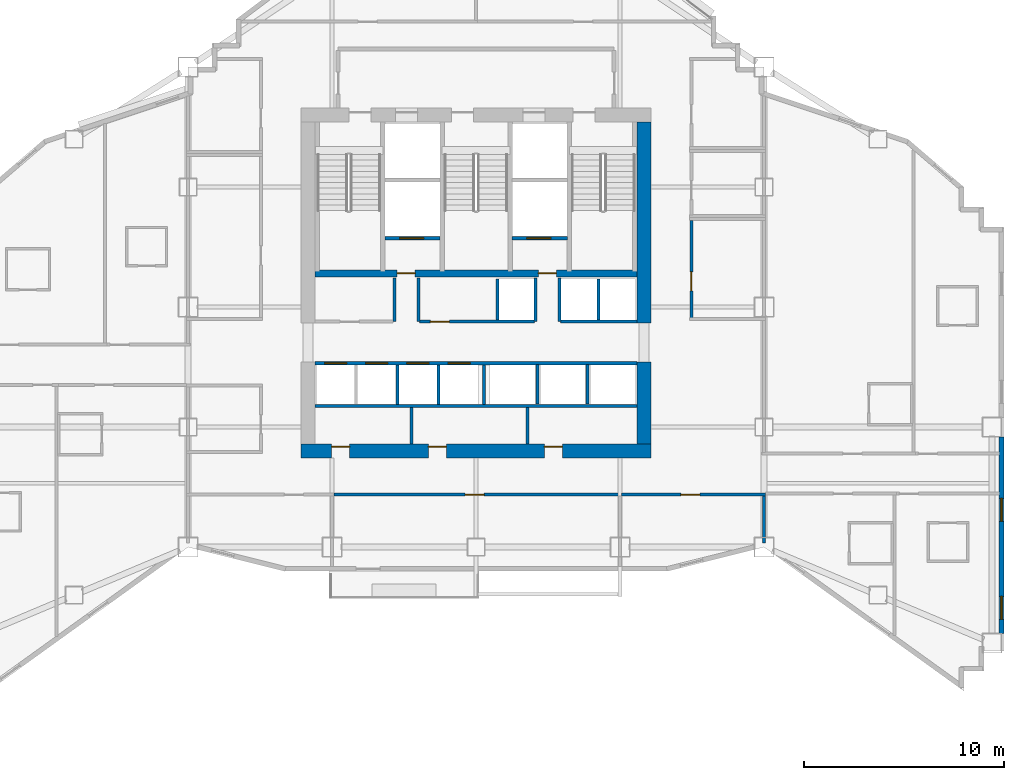
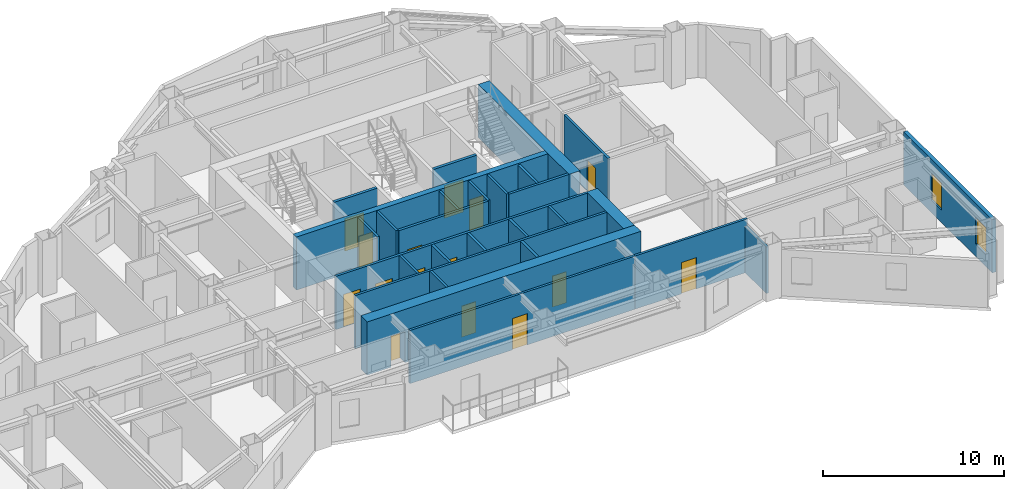
# One storey, part 7 of 14: 28 walls, 15 doors, 2 windows, 17 openings.
"""IFC4 building model written with IfcOpenShell, lengths in metres."""

from ifc_helpers import new_model, si_unit, direction, frame, frame_2d, origin, place, context, subcontext, project, spatial, rectangle, extrude, material, layer, layer_set, type_object, element, fill, save


model = new_model("IFC4")

# Units and contexts
model_context = context("Model", 3, precision=1e-05, world=origin(), true_north=direction((0.0, 1.0)))
body_context = subcontext(model_context, "Body", "Model", "MODEL_VIEW")
ifc_project = project(units=[si_unit("LENGTHUNIT", "METRE"), si_unit("AREAUNIT", "SQUARE_METRE"), si_unit("VOLUMEUNIT", "CUBIC_METRE"), si_unit("PLANEANGLEUNIT", "RADIAN"), si_unit("MASSUNIT", "GRAM", prefix="KILO")], contexts=[model_context])

# Site, building, storey
site_placement = place(None, origin())
site = spatial("IfcSite", under=ifc_project, at=site_placement, CompositionType="ELEMENT")
building_placement = place(site_placement, origin())
building = spatial("IfcBuilding", under=site, at=building_placement, Name="Haolan Belvedere Tower", CompositionType="ELEMENT")
storey_placement = place(building_placement, frame((0.0, 0.0, 113.60009765625)))
storey = spatial("IfcBuildingStorey", under=building, at=storey_placement, Name="L28", CompositionType="ELEMENT", Elevation=113.60009765625)

# Wall, openings, doors
ifc_material_1 = material(Name="Concrete C60/75", Category="concrete")
ifc_layer_1 = layer(ifc_material_1, 0.699951171875, Name="Concrete C60/75")
ifc_layer_set_1 = layer_set([ifc_layer_1], Name="Concrete C60/75")
wall_type_1 = type_object("IfcWallType", Name="WL-CORE-700", PredefinedType="SHEAR", material=ifc_layer_set_1)
wall_1_placement = place(storey_placement, frame((29.64990234375, 26.39990234375, 0.0), z_axis=(0.0, 0.0, 1.0), x_axis=(1.0, 0.0, 0.0)))
wall_1 = element("IfcWall", 1, at=wall_1_placement, inside=storey, type_object=wall_type_1, Name="L28 central core south shear wall", PredefinedType="SHEAR", context=body_context, shape_type="SweptSolid", body=[
    extrude(rectangle(XDim=17.5, YDim=0.699951171875, at=frame_2d((8.75, 0.0))), origin(), (0.0, 0.0, 1.0), 3.599853515625),
])
opening_1_placement = place(wall_1_placement, frame((2.419921875, 0.0, 0.0), z_axis=(0.0, 0.0, 1.0), x_axis=(-1.0, 0.0, 0.0)))
opening_1 = element("IfcOpeningElement", 2, at=opening_1_placement, cuts=wall_1, Name="Opening FD-05", PredefinedType="OPENING", context=body_context, shape_type="SweptSolid", body=[
    extrude(rectangle(XDim=0.89990234375, YDim=2.10009765625, at=frame_2d((0.449951171875, 1.050048828125))), frame((0.0, 0.35986328125, 0.0), z_axis=(0.0, -1.0, 0.0), x_axis=(1.0, 0.0, 0.0)), (0.0, 0.0, 1.0), 0.719970703125),
])
opening_2_placement = place(wall_1_placement, frame((7.260009765625, 0.0, 0.0), z_axis=(0.0, 0.0, 1.0), x_axis=(-1.0, 0.0, 0.0)))
opening_2 = element("IfcOpeningElement", 3, at=opening_2_placement, cuts=wall_1, Name="Opening FD-05", PredefinedType="OPENING", context=body_context, shape_type="SweptSolid", body=[
    extrude(rectangle(XDim=0.89990234375, YDim=2.10009765625, at=frame_2d((0.449951171875, 1.050048828125))), frame((0.0, 0.35986328125, 0.0), z_axis=(0.0, -1.0, 0.0), x_axis=(1.0, 0.0, 0.0)), (0.0, 0.0, 1.0), 0.719970703125),
])
opening_3_placement = place(wall_1_placement, frame((13.059814453125, 0.0, 0.0), z_axis=(0.0, 0.0, 1.0), x_axis=(-1.0, 0.0, 0.0)))
opening_3 = element("IfcOpeningElement", 4, at=opening_3_placement, cuts=wall_1, Name="Opening FD-05", PredefinedType="OPENING", context=body_context, shape_type="SweptSolid", body=[
    extrude(rectangle(XDim=0.89990234375, YDim=2.10009765625, at=frame_2d((0.449951171875, 1.050048828125))), frame((0.0, 0.35986328125, 0.0), z_axis=(0.0, -1.0, 0.0), x_axis=(1.0, 0.0, 0.0)), (0.0, 0.0, 1.0), 0.719970703125),
])
ifc_material_2 = material(Name="Galvanised fire-rated steel", Category="steel")
door_type_1 = type_object("IfcDoorType", Name="DR-FD60-900", OperationType="NOTDEFINED", PredefinedType="DOOR", material=ifc_material_2)
door_1_placement = place(opening_1_placement, origin())
door_1 = element("IfcDoor", 5, at=door_1_placement, inside=storey, type_object=door_type_1, Name="L28 door CD-L28-SCV-1", OperationType="SINGLE_SWING_LEFT", OverallHeight=2.10009765625, OverallWidth=0.89990234375, PredefinedType="DOOR", context=body_context, shape_type="SweptSolid", body=[
    extrude(rectangle(XDim=0.89990234375, YDim=2.10009765625, at=frame_2d((0.449951171875, 1.050048828125))), frame((0.0, -0.19482421875, 0.0), z_axis=(0.0, -1.0, 0.0), x_axis=(1.0, 0.0, 0.0)), (0.0, 0.0, 1.0), 0.050048828125),
])
fill(opening_1, door_1)
door_2_placement = place(opening_2_placement, origin())
door_2 = element("IfcDoor", 6, at=door_2_placement, inside=storey, type_object=door_type_1, Name="L28 door CD-L28-SCV-2", OperationType="SINGLE_SWING_RIGHT", OverallHeight=2.10009765625, OverallWidth=0.89990234375, PredefinedType="DOOR", context=body_context, shape_type="SweptSolid", body=[
    extrude(rectangle(XDim=0.89990234375, YDim=2.10009765625, at=frame_2d((0.449951171875, 1.050048828125))), frame((0.0, -0.19482421875, 0.0), z_axis=(0.0, -1.0, 0.0), x_axis=(1.0, 0.0, 0.0)), (0.0, 0.0, 1.0), 0.050048828125),
])
fill(opening_2, door_2)
door_3_placement = place(opening_3_placement, origin())
door_3 = element("IfcDoor", 7, at=door_3_placement, inside=storey, type_object=door_type_1, Name="L28 door CD-L28-SCV-3", OperationType="SINGLE_SWING_LEFT", OverallHeight=2.10009765625, OverallWidth=0.89990234375, PredefinedType="DOOR", context=body_context, shape_type="SweptSolid", body=[
    extrude(rectangle(XDim=0.89990234375, YDim=2.10009765625, at=frame_2d((0.449951171875, 1.050048828125))), frame((0.0, -0.19482421875, 0.0), z_axis=(0.0, -1.0, 0.0), x_axis=(1.0, 0.0, 0.0)), (0.0, 0.0, 1.0), 0.050048828125),
])
fill(opening_3, door_3)

# Walls
wall_2_placement = place(storey_placement, frame((46.800048828125, 26.75, 0.0), z_axis=(0.0, 0.0, 1.0), x_axis=(0.0, 1.0, 0.0)))
element("IfcWall", 8, at=wall_2_placement, inside=storey, type_object=wall_type_1, Name="L28 central core shear wall ES", PredefinedType="SHEAR", context=body_context, shape_type="SweptSolid", body=[
    extrude(rectangle(XDim=4.10009765625, YDim=0.699951171875, at=frame_2d((2.050048828125, 0.0))), origin(), (0.0, 0.0, 1.0), 3.599853515625),
])
wall_3_placement = place(storey_placement, frame((46.800048828125, 32.800048828125, 0.0), z_axis=(0.0, 0.0, 1.0), x_axis=(0.0, 1.0, 0.0)))
element("IfcWall", 9, at=wall_3_placement, inside=storey, type_object=wall_type_1, Name="L28 central core shear wall EN", PredefinedType="SHEAR", context=body_context, shape_type="SweptSolid", body=[
    extrude(rectangle(XDim=10.050048828125, YDim=0.699951171875, at=frame_2d((5.02490234375, 0.0))), origin(), (0.0, 0.0, 1.0), 3.599853515625),
])

# Wall, openings, windows
ifc_material_3 = material(Name="Precast concrete C40/50", Category="concrete")
ifc_layer_2 = layer(ifc_material_3, 0.239990234375, Name="Precast concrete C40/50")
ifc_layer_set_2 = layer_set([ifc_layer_2], Name="Precast concrete C40/50")
wall_type_2 = type_object("IfcWallType", Name="WL-EXT-240", PredefinedType="SOLIDWALL", material=ifc_layer_set_2)
wall_4_placement = place(storey_placement, frame((64.679931640625, 17.2919921875, 0.0), z_axis=(0.0, 0.0, 1.0), x_axis=(0.0, 1.0, 0.0)))
wall_4 = element("IfcWall", 10, at=wall_4_placement, inside=storey, type_object=wall_type_2, Name="L28 pale-metal exterior spandrel wall 14.1", PredefinedType="SOLIDWALL", context=body_context, shape_type="SweptSolid", body=[
    extrude(rectangle(XDim=9.81591796875, YDim=0.239990234375, at=frame_2d((4.907958984375, 0.0))), origin(), (0.0, 0.0, 1.0), 3.599853515625),
])
opening_4_placement = place(wall_4_placement, frame((0.699951171875, 0.0, 0.85009765625)))
opening_4 = element("IfcOpeningElement", 11, at=opening_4_placement, cuts=wall_4, Name="Opening W-02", PredefinedType="OPENING", context=body_context, shape_type="SweptSolid", body=[
    extrude(rectangle(XDim=1.14990234375, YDim=1.800048828125, at=frame_2d((0.574951171875, 0.89990234375))), frame((0.0, 0.1298828125, 0.0), z_axis=(0.0, -1.0, 0.0), x_axis=(1.0, 0.0, 0.0)), (0.0, 0.0, 1.0), 0.260009765625),
])
opening_5_placement = place(wall_4_placement, frame((5.593017578125, 0.0, 0.85009765625)))
opening_5 = element("IfcOpeningElement", 12, at=opening_5_placement, cuts=wall_4, Name="Opening W-02", PredefinedType="OPENING", context=body_context, shape_type="SweptSolid", body=[
    extrude(rectangle(XDim=1.14990234375, YDim=1.800048828125, at=frame_2d((0.574951171875, 0.89990234375))), frame((0.0, 0.1298828125, 0.0), z_axis=(0.0, -1.0, 0.0), x_axis=(1.0, 0.0, 0.0)), (0.0, 0.0, 1.0), 0.260009765625),
])
ifc_material_4 = material(Name="Anodised aluminium 6063-T6 and Low-E glass", Category="aluminium")
window_type = type_object("IfcWindowType", Name="WN-DECO-Z2", PartitioningType="SINGLE_PANEL", PredefinedType="WINDOW", material=ifc_material_4)
window_1_placement = place(opening_4_placement, origin())
window_1 = element("IfcWindow", 13, at=window_1_placement, inside=storey, type_object=window_type, Name="L28 Art Deco chevron window 1", OverallHeight=1.800048828125, OverallWidth=1.14990234375, PartitioningType="SINGLE_PANEL", PredefinedType="WINDOW", context=body_context, shape_type="SweptSolid", body=[
    extrude(rectangle(XDim=1.14990234375, YDim=1.800048828125, at=frame_2d((0.574951171875, 0.89990234375))), frame((0.0, 0.030029296875, 0.0), z_axis=(0.0, -1.0, 0.0), x_axis=(1.0, 0.0, 0.0)), (0.0, 0.0, 1.0), 0.06005859375),
])
fill(opening_4, window_1)
window_2_placement = place(opening_5_placement, origin())
window_2 = element("IfcWindow", 14, at=window_2_placement, inside=storey, type_object=window_type, Name="L28 Art Deco chevron window 2", OverallHeight=1.800048828125, OverallWidth=1.14990234375, PartitioningType="SINGLE_PANEL", PredefinedType="WINDOW", context=body_context, shape_type="SweptSolid", body=[
    extrude(rectangle(XDim=1.14990234375, YDim=1.800048828125, at=frame_2d((0.574951171875, 0.89990234375))), frame((0.0, 0.030029296875, 0.0), z_axis=(0.0, -1.0, 0.0), x_axis=(1.0, 0.0, 0.0)), (0.0, 0.0, 1.0), 0.06005859375),
])
fill(opening_5, window_2)

# Walls
ifc_material_5 = material(Name="Double gypsum acoustic stud partition", Category="masonry")
ifc_layer_3 = layer(ifc_material_5, 0.14990234375, Name="Double gypsum acoustic stud partition")
ifc_layer_set_3 = layer_set([ifc_layer_3], Name="Double gypsum acoustic stud partition")
wall_type_3 = type_object("IfcWallType", Name="WL-PART-150", PredefinedType="PARTITIONING", material=ifc_layer_set_3)
wall_5_placement = place(storey_placement, frame((30.35009765625, 28.659912109375, 0.0), z_axis=(0.0, 0.0, 1.0), x_axis=(1.0, 0.0, 0.0)))
element("IfcWall", 15, at=wall_5_placement, inside=storey, type_object=wall_type_3, Name="L28 interior partition IW-L28-SSTRIP-N", PredefinedType="PARTITIONING", context=body_context, shape_type="SweptSolid", body=[
    extrude(rectangle(XDim=16.099853515625, YDim=0.14990234375, at=frame_2d((8.0498046875, 0.0))), origin(), (0.0, 0.0, 1.0), 3.599853515625),
])
for number, where, z_axis, x_axis, name in (
    (16, (35.179931640625, 26.760009765625, 0.0), (0.0, 0.0, 1.0), (0.0, 1.0, 0.0), "L28 interior partition IW-L28-SCV-DIV-1"),
    (17, (40.97998046875, 26.760009765625, 0.0), (0.0, 0.0, 1.0), (0.0, 1.0, 0.0), "L28 interior partition IW-L28-SCV-DIV-2"),
):
    element("IfcWall", number, at=place(storey_placement, frame(where, z_axis=z_axis, x_axis=x_axis)), inside=storey, type_object=wall_type_3, Name=name, PredefinedType="PARTITIONING", context=body_context, shape_type="SweptSolid", body=[
        extrude(rectangle(XDim=1.820068359375, YDim=0.14990234375, at=frame_2d((0.91015625, 0.0))), origin(), (0.0, 0.0, 1.0), 3.599853515625),
    ])

# Wall, opening, door
wall_6_placement = place(storey_placement, frame((49.159912109375, 33.06005859375, 0.0), z_axis=(0.0, 0.0, 1.0), x_axis=(0.0, 1.0, 0.0)))
wall_6 = element("IfcWall", 18, at=wall_6_placement, inside=storey, type_object=wall_type_3, Name="L28 interior partition IW-L28-BPN-W", PredefinedType="PARTITIONING", context=body_context, shape_type="SweptSolid", body=[
    extrude(rectangle(XDim=4.8798828125, YDim=0.14990234375, at=frame_2d((2.43994140625, 0.0))), origin(), (0.0, 0.0, 1.0), 3.599853515625),
])
opening_6_placement = place(wall_6_placement, frame((1.360107421875, 0.0, 0.0)))
opening_6 = element("IfcOpeningElement", 19, at=opening_6_placement, cuts=wall_6, Name="Opening ID-03", PredefinedType="OPENING", context=body_context, shape_type="SweptSolid", body=[
    extrude(rectangle(XDim=0.949951171875, YDim=2.1201171875, at=frame_2d((0.47509765625, 1.06005859375))), frame((0.0, 0.0849609375, 0.0), z_axis=(0.0, -1.0, 0.0), x_axis=(1.0, 0.0, 0.0)), (0.0, 0.0, 1.0), 0.169921875),
])
ifc_material_6 = material(Name="Painted solid-core timber", Category="wood")
door_type_2 = type_object("IfcDoorType", Name="DR-INT-950", OperationType="NOTDEFINED", PredefinedType="DOOR", material=ifc_material_6)
door_4_placement = place(opening_6_placement, origin())
door_4 = element("IfcDoor", 20, at=door_4_placement, inside=storey, type_object=door_type_2, Name="L28 door ID-L28-BPN", OperationType="SINGLE_SWING_RIGHT", OverallHeight=2.1201171875, OverallWidth=0.949951171875, PredefinedType="DOOR", context=body_context, shape_type="SweptSolid", body=[
    extrude(rectangle(XDim=0.949951171875, YDim=2.1201171875, at=frame_2d((0.47509765625, 1.06005859375))), frame((0.0, 0.02490234375, 0.0), z_axis=(0.0, -1.0, 0.0), x_axis=(1.0, 0.0, 0.0)), (0.0, 0.0, 1.0), 0.050048828125),
])
fill(opening_6, door_4)

wall_7_placement = place(storey_placement, frame((31.281982421875, 24.219970703125, 0.0), z_axis=(0.0, 0.0, 1.0), x_axis=(1.0, 0.0, 0.0)))
wall_7 = element("IfcWall", 21, at=wall_7_placement, inside=storey, type_object=wall_type_3, Name="L28 interior partition IW-L28-KS2-N", PredefinedType="PARTITIONING", context=body_context, shape_type="SweptSolid", body=[
    extrude(rectangle(XDim=14.39794921875, YDim=0.14990234375, at=frame_2d((7.198974609375, 0.0))), origin(), (0.0, 0.0, 1.0), 3.599853515625),
])
opening_7_placement = place(wall_7_placement, frame((7.512939453125, 0.0, 0.0), z_axis=(0.0, 0.0, 1.0), x_axis=(-1.0, 0.0, 0.0)))
opening_7 = element("IfcOpeningElement", 22, at=opening_7_placement, cuts=wall_7, Name="Opening ID-03", PredefinedType="OPENING", context=body_context, shape_type="SweptSolid", body=[
    extrude(rectangle(XDim=0.949951171875, YDim=2.1201171875, at=frame_2d((0.47509765625, 1.06005859375))), frame((0.0, 0.0849609375, 0.0), z_axis=(0.0, -1.0, 0.0), x_axis=(1.0, 0.0, 0.0)), (0.0, 0.0, 1.0), 0.169921875),
])
door_5_placement = place(opening_7_placement, origin())
door_5 = element("IfcDoor", 23, at=door_5_placement, inside=storey, type_object=door_type_2, Name="L28 door ID-L28-KS2", OperationType="SINGLE_SWING_LEFT", OverallHeight=2.1201171875, OverallWidth=0.949951171875, PredefinedType="DOOR", context=body_context, shape_type="SweptSolid", body=[
    extrude(rectangle(XDim=0.949951171875, YDim=2.1201171875, at=frame_2d((0.47509765625, 1.06005859375))), frame((0.0, 0.02490234375, 0.0), z_axis=(0.0, -1.0, 0.0), x_axis=(1.0, 0.0, 0.0)), (0.0, 0.0, 1.0), 0.050048828125),
])
fill(opening_7, door_5)

wall_8_placement = place(storey_placement, frame((45.681884765625, 24.219970703125, 0.0), z_axis=(0.0, 0.0, 1.0), x_axis=(1.0, 0.0, 0.0)))
wall_8 = element("IfcWall", 24, at=wall_8_placement, inside=storey, type_object=wall_type_3, Name="L28 interior partition IW-L28-KS3-N", PredefinedType="PARTITIONING", context=body_context, shape_type="SweptSolid", body=[
    extrude(rectangle(XDim=7.197998046875, YDim=0.14990234375, at=frame_2d((3.59912109375, 0.0))), origin(), (0.0, 0.0, 1.0), 3.599853515625),
])
opening_8_placement = place(wall_8_placement, frame((3.912841796875, 0.0, 0.0), z_axis=(0.0, 0.0, 1.0), x_axis=(-1.0, 0.0, 0.0)))
opening_8 = element("IfcOpeningElement", 25, at=opening_8_placement, cuts=wall_8, Name="Opening ID-03", PredefinedType="OPENING", context=body_context, shape_type="SweptSolid", body=[
    extrude(rectangle(XDim=0.949951171875, YDim=2.1201171875, at=frame_2d((0.47509765625, 1.06005859375))), frame((0.0, 0.0849609375, 0.0), z_axis=(0.0, -1.0, 0.0), x_axis=(1.0, 0.0, 0.0)), (0.0, 0.0, 1.0), 0.169921875),
])
door_6_placement = place(opening_8_placement, origin())
door_6 = element("IfcDoor", 26, at=door_6_placement, inside=storey, type_object=door_type_2, Name="L28 door ID-L28-KS3", OperationType="SINGLE_SWING_RIGHT", OverallHeight=2.1201171875, OverallWidth=0.949951171875, PredefinedType="DOOR", context=body_context, shape_type="SweptSolid", body=[
    extrude(rectangle(XDim=0.949951171875, YDim=2.1201171875, at=frame_2d((0.47509765625, 1.06005859375))), frame((0.0, 0.02490234375, 0.0), z_axis=(0.0, -1.0, 0.0), x_axis=(1.0, 0.0, 0.0)), (0.0, 0.0, 1.0), 0.050048828125),
])
fill(opening_8, door_6)

# Walls
wall_9_placement = place(storey_placement, frame((52.800048828125, 21.818603515625, 0.0), z_axis=(0.0, 0.0, 1.0), x_axis=(0.0, 1.0, 0.0)))
element("IfcWall", 27, at=wall_9_placement, inside=storey, type_object=wall_type_3, Name="L28 interior partition IW-L28-KS3-E", PredefinedType="PARTITIONING", context=body_context, shape_type="SweptSolid", body=[
    extrude(rectangle(XDim=2.34130859375, YDim=0.14990234375, at=frame_2d((1.170654296875, 0.0))), origin(), (0.0, 0.0, 1.0), 3.14501953125),
])
ifc_material_7 = material(Name="Gypsum fire shaftwall assembly", Category="masonry")
ifc_layer_4 = layer(ifc_material_7, 0.1650390625, Name="Gypsum fire shaftwall assembly")
ifc_layer_set_4 = layer_set([ifc_layer_4], Name="Gypsum fire shaftwall assembly")
wall_type_4 = type_object("IfcWallType", Name="WL-SHAFT-160", PredefinedType="SOLIDWALL", material=ifc_layer_set_4)
for number, where, z_axis, x_axis, name in (
    (28, (34.31005859375, 32.8798828125, 0.0), (0.0, 0.0, 1.0), (0.0, 1.0, 0.0), "L28 interior partition IW-L28-SVP-W-SV1"),
    (29, (35.510009765625, 32.8798828125, 0.0), (0.0, 0.0, 1.0), (0.0, 1.0, 0.0), "L28 interior partition IW-L28-SVP-E-SV1"),
    (30, (41.3701171875, 32.8798828125, 0.0), (0.0, 0.0, 1.0), (0.0, 1.0, 0.0), "L28 interior partition IW-L28-SVP-W-SV2"),
    (31, (42.570068359375, 32.8798828125, 0.0), (0.0, 0.0, 1.0), (0.0, 1.0, 0.0), "L28 interior partition IW-L28-SVP-E-SV2"),
):
    element("IfcWall", number, at=place(storey_placement, frame(where, z_axis=z_axis, x_axis=x_axis)), inside=storey, type_object=wall_type_4, Name=name, PredefinedType="SOLIDWALL", context=body_context, shape_type="SweptSolid", body=[
        extrude(rectangle(XDim=2.170166015625, YDim=0.14990234375, at=frame_2d((1.0849609375, 0.0))), origin(), (0.0, 0.0, 1.0), 3.599853515625),
    ])

# Wall, opening, door
wall_10_placement = place(storey_placement, frame((35.570068359375, 32.8798828125, 0.0), z_axis=(0.0, 0.0, 1.0), x_axis=(1.0, 0.0, 0.0)))
wall_10 = element("IfcWall", 32, at=wall_10_placement, inside=storey, type_object=wall_type_4, Name="L28 interior partition IW-L28-ROW-PN2", PredefinedType="SOLIDWALL", context=body_context, shape_type="SweptSolid", body=[
    extrude(rectangle(XDim=5.739990234375, YDim=0.159912109375, at=frame_2d((2.8701171875, 0.0))), origin(), (0.0, 0.0, 1.0), 3.599853515625),
])
opening_9_placement = place(wall_10_placement, frame((1.489990234375, 0.0, 0.0), z_axis=(0.0, 0.0, 1.0), x_axis=(-1.0, 0.0, 0.0)))
opening_9 = element("IfcOpeningElement", 33, at=opening_9_placement, cuts=wall_10, Name="Opening ID-03", PredefinedType="OPENING", context=body_context, shape_type="SweptSolid", body=[
    extrude(rectangle(XDim=0.949951171875, YDim=2.1201171875, at=frame_2d((0.47509765625, 1.06005859375))), frame((0.0, 0.08984375, 0.0), z_axis=(0.0, -1.0, 0.0), x_axis=(1.0, 0.0, 0.0)), (0.0, 0.0, 1.0), 0.179931640625),
])
door_7_placement = place(opening_9_placement, origin())
door_7 = element("IfcDoor", 34, at=door_7_placement, inside=storey, type_object=door_type_2, Name="L28 door ID-L28-CD-RPLE", OperationType="SINGLE_SWING_RIGHT", OverallHeight=2.1201171875, OverallWidth=0.949951171875, PredefinedType="DOOR", context=body_context, shape_type="SweptSolid", body=[
    extrude(rectangle(XDim=0.949951171875, YDim=2.1201171875, at=frame_2d((0.47509765625, 1.06005859375))), frame((0.0, 0.02490234375, 0.0), z_axis=(0.0, -1.0, 0.0), x_axis=(1.0, 0.0, 0.0)), (0.0, 0.0, 1.0), 0.050048828125),
])
fill(opening_9, door_7)

# Walls
wall_11_placement = place(storey_placement, frame((42.6298828125, 32.8798828125, 0.0), z_axis=(0.0, 0.0, 1.0), x_axis=(1.0, 0.0, 0.0)))
element("IfcWall", 35, at=wall_11_placement, inside=storey, type_object=wall_type_4, Name="L28 interior partition IW-L28-ROW-PN3", PredefinedType="SOLIDWALL", context=body_context, shape_type="SweptSolid", body=[
    extrude(rectangle(XDim=3.820068359375, YDim=0.159912109375, at=frame_2d((1.91015625, 0.0))), origin(), (0.0, 0.0, 1.0), 3.599853515625),
])
for number, where, z_axis, x_axis, name in (
    (36, (39.469970703125, 32.949951171875, 0.0), (0.0, 0.0, 1.0), (0.0, 1.0, 0.0), "L28 interior partition IW-L28-DIV-PL4R"),
    (37, (44.530029296875, 32.949951171875, 0.0), (0.0, 0.0, 1.0), (0.0, 1.0, 0.0), "L28 interior partition IW-L28-DIV-PH2"),
):
    element("IfcWall", number, at=place(storey_placement, frame(where, z_axis=z_axis, x_axis=x_axis)), inside=storey, type_object=wall_type_4, Name=name, PredefinedType="SOLIDWALL", context=body_context, shape_type="SweptSolid", body=[
        extrude(rectangle(XDim=2.050048828125, YDim=0.14990234375, at=frame_2d((1.02490234375, 0.0))), origin(), (0.0, 0.0, 1.0), 3.599853515625),
    ])

# Wall, openings, doors
wall_12_placement = place(storey_placement, frame((30.35009765625, 30.800048828125, 0.0), z_axis=(0.0, 0.0, 1.0), x_axis=(1.0, 0.0, 0.0)))
wall_12 = element("IfcWall", 38, at=wall_12_placement, inside=storey, type_object=wall_type_4, Name="L28 interior partition IW-L28-ROW-PS", PredefinedType="SOLIDWALL", context=body_context, shape_type="SweptSolid", body=[
    extrude(rectangle(XDim=16.099853515625, YDim=0.159912109375, at=frame_2d((8.0498046875, 0.0))), origin(), (0.0, 0.0, 1.0), 3.599853515625),
])
opening_10_placement = place(wall_12_placement, frame((0.469970703125, 0.0, 0.0)))
opening_10 = element("IfcOpeningElement", 39, at=opening_10_placement, cuts=wall_12, Name="Opening LD-01", PredefinedType="OPENING", context=body_context, shape_type="SweptSolid", body=[
    extrude(rectangle(XDim=1.10009765625, YDim=2.199951171875, at=frame_2d((0.550048828125, 1.10009765625))), frame((0.0, 0.08984375, 0.0), z_axis=(0.0, -1.0, 0.0), x_axis=(1.0, 0.0, 0.0)), (0.0, 0.0, 1.0), 0.179931640625),
])
opening_11_placement = place(wall_12_placement, frame((2.530029296875, 0.0, 0.0)))
opening_11 = element("IfcOpeningElement", 40, at=opening_11_placement, cuts=wall_12, Name="Opening LD-01", PredefinedType="OPENING", context=body_context, shape_type="SweptSolid", body=[
    extrude(rectangle(XDim=1.10009765625, YDim=2.199951171875, at=frame_2d((0.550048828125, 1.10009765625))), frame((0.0, 0.08984375, 0.0), z_axis=(0.0, -1.0, 0.0), x_axis=(1.0, 0.0, 0.0)), (0.0, 0.0, 1.0), 0.179931640625),
])
opening_12_placement = place(wall_12_placement, frame((4.590087890625, 0.0, 0.0)))
opening_12 = element("IfcOpeningElement", 41, at=opening_12_placement, cuts=wall_12, Name="Opening LD-01", PredefinedType="OPENING", context=body_context, shape_type="SweptSolid", body=[
    extrude(rectangle(XDim=1.10009765625, YDim=2.199951171875, at=frame_2d((0.550048828125, 1.10009765625))), frame((0.0, 0.08984375, 0.0), z_axis=(0.0, -1.0, 0.0), x_axis=(1.0, 0.0, 0.0)), (0.0, 0.0, 1.0), 0.179931640625),
])
opening_13_placement = place(wall_12_placement, frame((6.64990234375, 0.0, 0.0)))
opening_13 = element("IfcOpeningElement", 42, at=opening_13_placement, cuts=wall_12, Name="Opening LD-01", PredefinedType="OPENING", context=body_context, shape_type="SweptSolid", body=[
    extrude(rectangle(XDim=1.10009765625, YDim=2.199951171875, at=frame_2d((0.550048828125, 1.10009765625))), frame((0.0, 0.08984375, 0.0), z_axis=(0.0, -1.0, 0.0), x_axis=(1.0, 0.0, 0.0)), (0.0, 0.0, 1.0), 0.179931640625),
])
ifc_material_8 = material(Name="Brushed champagne stainless steel 316L", Category="steel")
door_type_3 = type_object("IfcDoorType", Name="DR-LIFT-1100", OperationType="SLIDING_TO_LEFT", PredefinedType="DOOR", material=ifc_material_8)
door_8_placement = place(opening_10_placement, origin())
door_8 = element("IfcDoor", 43, at=door_8_placement, inside=storey, type_object=door_type_3, Name="L28 door ID-L28-LD-PM1", OperationType="SLIDING_TO_LEFT", OverallHeight=2.199951171875, OverallWidth=1.10009765625, PredefinedType="DOOR", context=body_context, shape_type="SweptSolid", body=[
    extrude(rectangle(XDim=1.10009765625, YDim=2.199951171875, at=frame_2d((0.550048828125, 1.10009765625))), frame((0.0, 0.02490234375, 0.0), z_axis=(0.0, -1.0, 0.0), x_axis=(1.0, 0.0, 0.0)), (0.0, 0.0, 1.0), 0.050048828125),
])
fill(opening_10, door_8)
door_9_placement = place(opening_11_placement, origin())
door_9 = element("IfcDoor", 44, at=door_9_placement, inside=storey, type_object=door_type_3, Name="L28 door ID-L28-LD-PM2", OperationType="SLIDING_TO_LEFT", OverallHeight=2.199951171875, OverallWidth=1.10009765625, PredefinedType="DOOR", context=body_context, shape_type="SweptSolid", body=[
    extrude(rectangle(XDim=1.10009765625, YDim=2.199951171875, at=frame_2d((0.550048828125, 1.10009765625))), frame((0.0, 0.02490234375, 0.0), z_axis=(0.0, -1.0, 0.0), x_axis=(1.0, 0.0, 0.0)), (0.0, 0.0, 1.0), 0.050048828125),
])
fill(opening_11, door_9)
door_10_placement = place(opening_12_placement, origin())
door_10 = element("IfcDoor", 45, at=door_10_placement, inside=storey, type_object=door_type_3, Name="L28 door ID-L28-LD-PM3", OperationType="SLIDING_TO_LEFT", OverallHeight=2.199951171875, OverallWidth=1.10009765625, PredefinedType="DOOR", context=body_context, shape_type="SweptSolid", body=[
    extrude(rectangle(XDim=1.10009765625, YDim=2.199951171875, at=frame_2d((0.550048828125, 1.10009765625))), frame((0.0, 0.02490234375, 0.0), z_axis=(0.0, -1.0, 0.0), x_axis=(1.0, 0.0, 0.0)), (0.0, 0.0, 1.0), 0.050048828125),
])
fill(opening_12, door_10)
door_11_placement = place(opening_13_placement, origin())
door_11 = element("IfcDoor", 46, at=door_11_placement, inside=storey, type_object=door_type_3, Name="L28 door ID-L28-LD-PM4", OperationType="SLIDING_TO_LEFT", OverallHeight=2.199951171875, OverallWidth=1.10009765625, PredefinedType="DOOR", context=body_context, shape_type="SweptSolid", body=[
    extrude(rectangle(XDim=1.10009765625, YDim=2.199951171875, at=frame_2d((0.550048828125, 1.10009765625))), frame((0.0, 0.02490234375, 0.0), z_axis=(0.0, -1.0, 0.0), x_axis=(1.0, 0.0, 0.0)), (0.0, 0.0, 1.0), 0.050048828125),
])
fill(opening_13, door_11)

# Walls
for number, where, z_axis, x_axis, name in (
    (47, (34.4599609375, 28.735107421875, 0.0), (0.0, 0.0, 1.0), (0.0, 1.0, 0.0), "L28 interior partition IW-L28-DIV-PM2"),
    (48, (36.52001953125, 28.735107421875, 0.0), (0.0, 0.0, 1.0), (0.0, 1.0, 0.0), "L28 interior partition IW-L28-DIV-PM3"),
    (49, (38.800048828125, 28.735107421875, 0.0), (0.0, 0.0, 1.0), (0.0, 1.0, 0.0), "L28 interior partition IW-L28-DIV-PM4"),
):
    element("IfcWall", number, at=place(storey_placement, frame(where, z_axis=z_axis, x_axis=x_axis)), inside=storey, type_object=wall_type_4, Name=name, PredefinedType="SOLIDWALL", context=body_context, shape_type="SweptSolid", body=[
        extrude(rectangle(XDim=1.98486328125, YDim=0.14990234375, at=frame_2d((0.992431640625, 0.0))), origin(), (0.0, 0.0, 1.0), 3.599853515625),
    ])
for number, where, z_axis, x_axis, name in (
    (50, (41.469970703125, 28.75, 0.0), (0.0, 0.0, 1.0), (0.0, 1.0, 0.0), "L28 interior partition IW-L28-DIV-OB1"),
    (51, (43.97998046875, 28.75, 0.0), (0.0, 0.0, 1.0), (0.0, 1.0, 0.0), "L28 interior partition IW-L28-DIV-OB2"),
):
    element("IfcWall", number, at=place(storey_placement, frame(where, z_axis=z_axis, x_axis=x_axis)), inside=storey, type_object=wall_type_4, Name=name, PredefinedType="SOLIDWALL", context=body_context, shape_type="SweptSolid", body=[
        extrude(rectangle(XDim=1.985107421875, YDim=0.14990234375, at=frame_2d((0.99267578125, 0.0))), origin(), (0.0, 0.0, 1.0), 3.599853515625),
    ])

# Wall, opening, door
ifc_layer_5 = layer(ifc_material_3, 0.179931640625, Name="Precast concrete C40/50")
ifc_layer_set_5 = layer_set([ifc_layer_5], Name="Precast concrete C40/50")
wall_type_5 = type_object("IfcWallType", Name="WL-SHAFT-180", PredefinedType="SOLIDWALL", material=ifc_layer_set_5)
wall_13_placement = place(storey_placement, frame((33.8349609375, 37.050048828125, 0.0), z_axis=(0.0, 0.0, 1.0), x_axis=(1.0, 0.0, 0.0)))
wall_13 = element("IfcWall", 52, at=wall_13_placement, inside=storey, type_object=wall_type_5, Name="L28 interior partition IW-L28-SV1-S", PredefinedType="SOLIDWALL", context=body_context, shape_type="SweptSolid", body=[
    extrude(rectangle(XDim=2.77001953125, YDim=0.179931640625, at=frame_2d((1.385009765625, 0.0))), origin(), (0.0, 0.0, 1.0), 3.599853515625),
])
opening_14_placement = place(wall_13_placement, frame((1.945068359375, 0.0, 0.0), z_axis=(0.0, 0.0, 1.0), x_axis=(-1.0, 0.0, 0.0)))
opening_14 = element("IfcOpeningElement", 53, at=opening_14_placement, cuts=wall_13, Name="Opening LD-02", PredefinedType="OPENING", context=body_context, shape_type="SweptSolid", body=[
    extrude(rectangle(XDim=1.199951171875, YDim=2.199951171875, at=frame_2d((0.60009765625, 1.10009765625))), frame((0.0, 0.099853515625, 0.0), z_axis=(0.0, -1.0, 0.0), x_axis=(1.0, 0.0, 0.0)), (0.0, 0.0, 1.0), 0.199951171875),
])
door_type_4 = type_object("IfcDoorType", Name="DR-LIFT-1200", OperationType="SLIDING_TO_RIGHT", PredefinedType="DOOR", material=ifc_material_8)
door_12_placement = place(opening_14_placement, origin())
door_12 = element("IfcDoor", 54, at=door_12_placement, inside=storey, type_object=door_type_4, Name="L28 door ID-L28-LD-SV1", OperationType="SLIDING_TO_RIGHT", OverallHeight=2.199951171875, OverallWidth=1.199951171875, PredefinedType="DOOR", context=body_context, shape_type="SweptSolid", body=[
    extrude(rectangle(XDim=1.199951171875, YDim=2.199951171875, at=frame_2d((0.60009765625, 1.10009765625))), frame((0.0, 0.02490234375, 0.0), z_axis=(0.0, -1.0, 0.0), x_axis=(1.0, 0.0, 0.0)), (0.0, 0.0, 1.0), 0.050048828125),
])
fill(opening_14, door_12)

wall_14_placement = place(storey_placement, frame((40.195068359375, 37.050048828125, 0.0), z_axis=(0.0, 0.0, 1.0), x_axis=(1.0, 0.0, 0.0)))
wall_14 = element("IfcWall", 55, at=wall_14_placement, inside=storey, type_object=wall_type_5, Name="L28 interior partition IW-L28-SV2-S", PredefinedType="SOLIDWALL", context=body_context, shape_type="SweptSolid", body=[
    extrude(rectangle(XDim=2.77001953125, YDim=0.179931640625, at=frame_2d((1.385009765625, 0.0))), origin(), (0.0, 0.0, 1.0), 3.599853515625),
])
opening_15_placement = place(wall_14_placement, frame((1.945068359375, 0.0, 0.0), z_axis=(0.0, 0.0, 1.0), x_axis=(-1.0, 0.0, 0.0)))
opening_15 = element("IfcOpeningElement", 56, at=opening_15_placement, cuts=wall_14, Name="Opening LD-02", PredefinedType="OPENING", context=body_context, shape_type="SweptSolid", body=[
    extrude(rectangle(XDim=1.199951171875, YDim=2.199951171875, at=frame_2d((0.60009765625, 1.10009765625))), frame((0.0, 0.099853515625, 0.0), z_axis=(0.0, -1.0, 0.0), x_axis=(1.0, 0.0, 0.0)), (0.0, 0.0, 1.0), 0.199951171875),
])
door_13_placement = place(opening_15_placement, origin())
door_13 = element("IfcDoor", 57, at=door_13_placement, inside=storey, type_object=door_type_4, Name="L28 door ID-L28-LD-SV2", OperationType="SLIDING_TO_RIGHT", OverallHeight=2.199951171875, OverallWidth=1.199951171875, PredefinedType="DOOR", context=body_context, shape_type="SweptSolid", body=[
    extrude(rectangle(XDim=1.199951171875, YDim=2.199951171875, at=frame_2d((0.60009765625, 1.10009765625))), frame((0.0, 0.02490234375, 0.0), z_axis=(0.0, -1.0, 0.0), x_axis=(1.0, 0.0, 0.0)), (0.0, 0.0, 1.0), 0.050048828125),
])
fill(opening_15, door_13)

# Wall, openings, doors
ifc_layer_6 = layer(ifc_material_1, 0.360107421875, Name="Concrete C60/75")
ifc_layer_set_6 = layer_set([ifc_layer_6], Name="Concrete C60/75")
wall_type_6 = type_object("IfcWallType", Name="WL-WEB-350", PredefinedType="SHEAR", material=ifc_layer_set_6)
wall_15_placement = place(storey_placement, frame((30.35009765625, 35.2900390625, 0.0), z_axis=(0.0, 0.0, 1.0), x_axis=(1.0, 0.0, 0.0)))
wall_15 = element("IfcWall", 58, at=wall_15_placement, inside=storey, type_object=wall_type_6, Name="L28 central core internal shear web", PredefinedType="SHEAR", context=body_context, shape_type="SweptSolid", body=[
    extrude(rectangle(XDim=16.099853515625, YDim=0.360107421875, at=frame_2d((8.0498046875, 0.0))), origin(), (0.0, 0.0, 1.0), 3.599853515625),
])
opening_16_placement = place(wall_15_placement, frame((5.0, 0.0, 0.0), z_axis=(0.0, 0.0, 1.0), x_axis=(-1.0, 0.0, 0.0)))
opening_16 = element("IfcOpeningElement", 59, at=opening_16_placement, cuts=wall_15, Name="Opening FD-05", PredefinedType="OPENING", context=body_context, shape_type="SweptSolid", body=[
    extrude(rectangle(XDim=0.89990234375, YDim=2.10009765625, at=frame_2d((0.449951171875, 1.050048828125))), frame((0.0, 0.18994140625, 0.0), z_axis=(0.0, -1.0, 0.0), x_axis=(1.0, 0.0, 0.0)), (0.0, 0.0, 1.0), 0.380126953125),
])
opening_17_placement = place(wall_15_placement, frame((12.059814453125, 0.0, 0.0), z_axis=(0.0, 0.0, 1.0), x_axis=(-1.0, 0.0, 0.0)))
opening_17 = element("IfcOpeningElement", 60, at=opening_17_placement, cuts=wall_15, Name="Opening FD-05", PredefinedType="OPENING", context=body_context, shape_type="SweptSolid", body=[
    extrude(rectangle(XDim=0.89990234375, YDim=2.10009765625, at=frame_2d((0.449951171875, 1.050048828125))), frame((0.0, 0.18994140625, 0.0), z_axis=(0.0, -1.0, 0.0), x_axis=(1.0, 0.0, 0.0)), (0.0, 0.0, 1.0), 0.380126953125),
])
door_14_placement = place(opening_16_placement, origin())
door_14 = element("IfcDoor", 61, at=door_14_placement, inside=storey, type_object=door_type_1, Name="L28 door CD-L28-SVL-SV1", OperationType="SINGLE_SWING_RIGHT", OverallHeight=2.10009765625, OverallWidth=0.89990234375, PredefinedType="DOOR", context=body_context, shape_type="SweptSolid", body=[
    extrude(rectangle(XDim=0.89990234375, YDim=2.10009765625, at=frame_2d((0.449951171875, 1.050048828125))), frame((0.0, 0.02490234375, 0.0), z_axis=(0.0, -1.0, 0.0), x_axis=(1.0, 0.0, 0.0)), (0.0, 0.0, 1.0), 0.050048828125),
])
fill(opening_16, door_14)
door_15_placement = place(opening_17_placement, origin())
door_15 = element("IfcDoor", 62, at=door_15_placement, inside=storey, type_object=door_type_1, Name="L28 door CD-L28-SVL-SV2", OperationType="SINGLE_SWING_RIGHT", OverallHeight=2.10009765625, OverallWidth=0.89990234375, PredefinedType="DOOR", context=body_context, shape_type="SweptSolid", body=[
    extrude(rectangle(XDim=0.89990234375, YDim=2.10009765625, at=frame_2d((0.449951171875, 1.050048828125))), frame((0.0, 0.02490234375, 0.0), z_axis=(0.0, -1.0, 0.0), x_axis=(1.0, 0.0, 0.0)), (0.0, 0.0, 1.0), 0.050048828125),
])
fill(opening_17, door_15)

save(model, "model.ifc")
